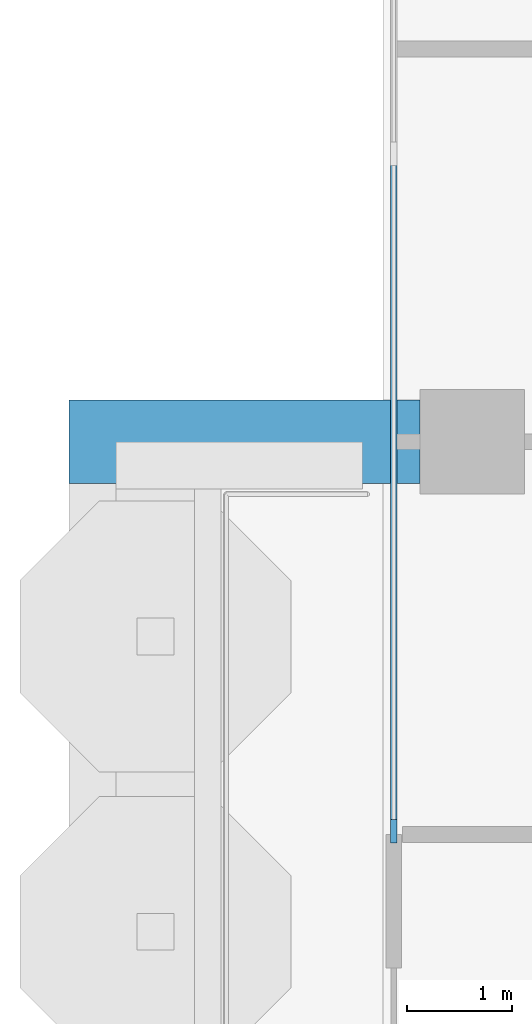
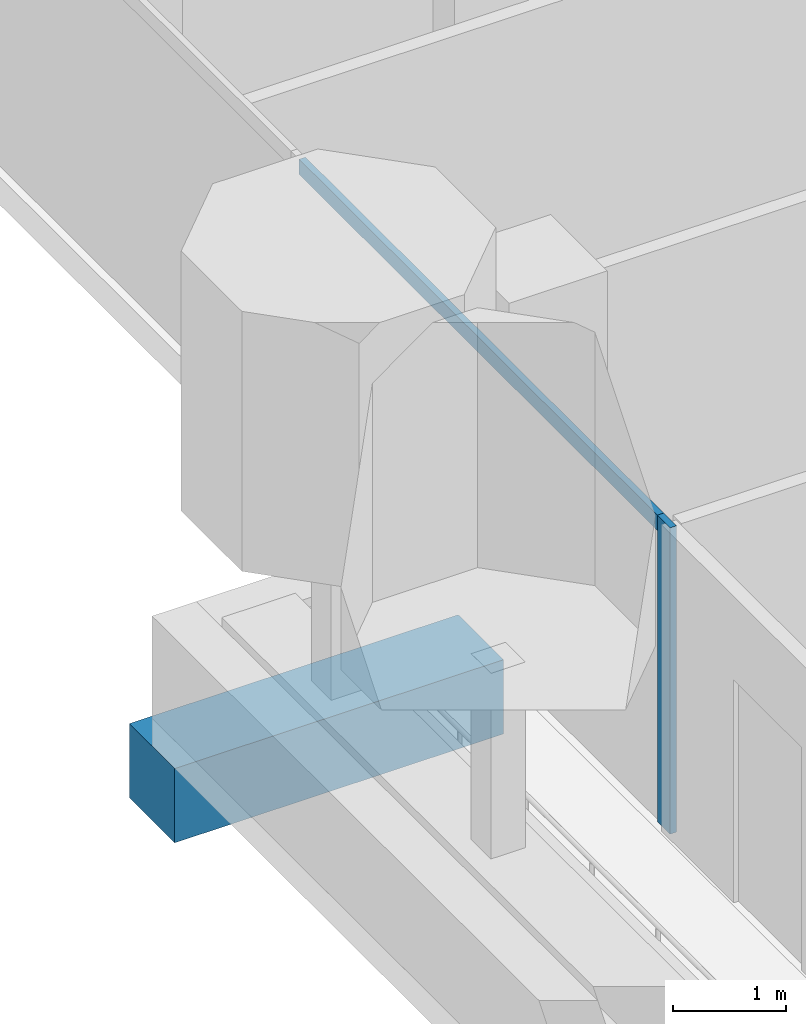
# One storey, part 3 of 19: 2 members, 1 beam, 1 element without a shape of its own.
"""IFC4 building model written with IfcOpenShell, lengths in metres."""

from ifc_helpers import new_model, si_unit, direction, frame, origin, origin_2d, place, context, subcontext, project, spatial, rectangle, extrude, material, material_profile, profile_set, type_object, element, aggregate, save


model = new_model("IFC4")

# Units and contexts
model_context = context("Model", 3, precision=1e-05, world=origin(), true_north=direction((0.0, 1.0)))
body_context = subcontext(model_context, "Body", "Model", "MODEL_VIEW")
ifc_project = project(units=[si_unit("LENGTHUNIT", "METRE"), si_unit("AREAUNIT", "SQUARE_METRE"), si_unit("VOLUMEUNIT", "CUBIC_METRE"), si_unit("PLANEANGLEUNIT", "RADIAN"), si_unit("MASSUNIT", "GRAM", prefix="KILO")], contexts=[model_context])

# Site, building, storey
site_placement = place(None, origin())
site = spatial("IfcSite", under=ifc_project, at=site_placement, CompositionType="ELEMENT")
building_placement = place(site_placement, origin())
building = spatial("IfcBuilding", under=site, at=building_placement, Name="Pilkhan Gate Tower", CompositionType="ELEMENT")
storey_placement = place(building_placement, frame((0.0, 0.0, 217.5)))
storey = spatial("IfcBuildingStorey", under=building, at=storey_placement, Name="L56", CompositionType="ELEMENT", Elevation=217.5)

# Beam
ifc_material_1 = material(Name="Concrete C50/60", Category="concrete")
ifc_material_profile_1 = material_profile(ifc_material_1, rectangle(XDim=0.800048828125, YDim=0.800048828125, at=origin_2d()), Name="RC 800x800")
ifc_profile_set_1 = profile_set([ifc_material_profile_1], Name="Concrete C50/60")
beam_type = type_object("IfcBeamType", Name="Cantilever beam CB2 RC 800x800 C50/60", PredefinedType="BEAM", material=ifc_profile_set_1)
beam_placement = place(storey_placement, frame((48.25, 67.5, -0.699951171875), z_axis=(-1.0, 0.0, 0.0), x_axis=(0.0, -1.0, 0.0)))
element("IfcBeam", 1, at=beam_placement, inside=storey, type_object=beam_type, Name="Balcony beam W.3 L56", PredefinedType="BEAM", context=body_context, shape_type="SweptSolid", body=[
    extrude(rectangle(XDim=0.800048828125, YDim=0.800048828125, at=origin_2d()), origin(), (0.0, 0.0, 1.0), 3.35009765625),
])

# Curtain wall, members
ifc_material_2 = material(Name="Pale anodised aluminium, clear low-iron double glazing", Category="aluminium")
curtain_wall_type = type_object("IfcCurtainWallType", Name="Office unitised curtain wall CW-O2", PredefinedType="USERDEFINED", material=ifc_material_2)
curtain_wall_placement = place(storey_placement, origin())
curtain_wall = element("IfcCurtainWall", 2, at=curtain_wall_placement, inside=storey, type_object=curtain_wall_type, Name="Office unitised curtain wall CW-O2 L56 W", ObjectType="UNITISED CURTAIN WALL", PredefinedType="USERDEFINED")
ifc_material_3 = material(Name="Pale anodised aluminium", Category="aluminium")
ifc_material_profile_2 = material_profile(ifc_material_3, rectangle(XDim=0.06494140625, YDim=0.22509765625, at=origin_2d()), Name="Mullion 225x65")
ifc_profile_set_2 = profile_set([ifc_material_profile_2], Name="Pale anodised aluminium")
member_type_1 = type_object("IfcMemberType", Name="Mullion CW-O2 225x65", PredefinedType="MULLION", material=ifc_profile_set_2)
member_1_placement = place(storey_placement, frame((48.0, 63.782470703125, 0.0), z_axis=(0.0, 0.0, 1.0), x_axis=(-1.0, 0.0, 0.0)))
member_1 = element("IfcMember", 3, at=member_1_placement, type_object=member_type_1, Name="CW-O2 mullion 1", PredefinedType="MULLION", context=body_context, shape_type="SweptSolid", body=[
    extrude(rectangle(XDim=0.06494140625, YDim=0.22509765625, at=origin_2d()), origin(), (0.0, 0.0, 1.0), 3.300048828125),
])
ifc_material_profile_3 = material_profile(ifc_material_3, rectangle(XDim=0.06494140625, YDim=0.1650390625, at=origin_2d()), Name="Transom 165x65")
ifc_profile_set_3 = profile_set([ifc_material_profile_3], Name="Pale anodised aluminium")
member_type_2 = type_object("IfcMemberType", Name="Transom CW-O2 165x65", PredefinedType="USERDEFINED", material=ifc_profile_set_3)
member_2_placement = place(storey_placement, frame((48.0, 63.81494140625, 3.217529296875), z_axis=(0.0, 1.0, 0.0), x_axis=(-1.0, 0.0, 0.0)))
member_2 = element("IfcMember", 4, at=member_2_placement, type_object=member_type_2, Name="CW-O2 transom 1", ObjectType="TRANSOM", PredefinedType="USERDEFINED", context=body_context, shape_type="SweptSolid", body=[
    extrude(rectangle(XDim=0.06494140625, YDim=0.1650390625, at=origin_2d()), origin(), (0.0, 0.0, 1.0), 6.402587890625),
])
aggregate(curtain_wall, [member_1, member_2])

save(model, "model.ifc")
